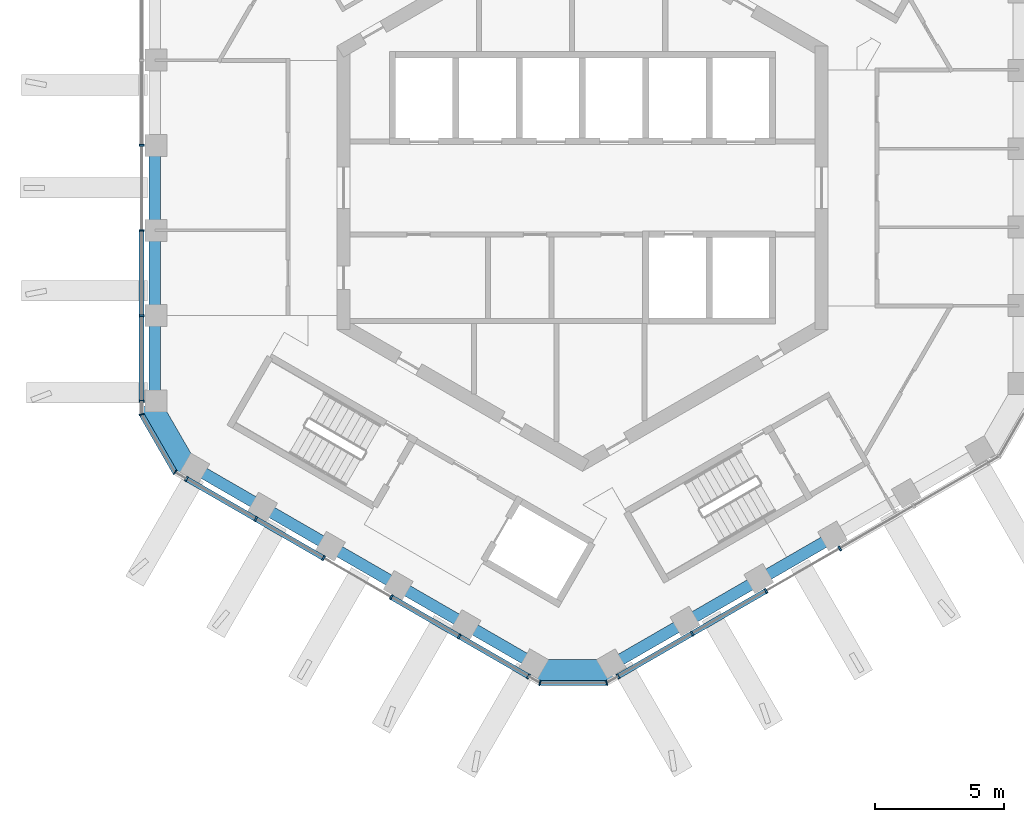
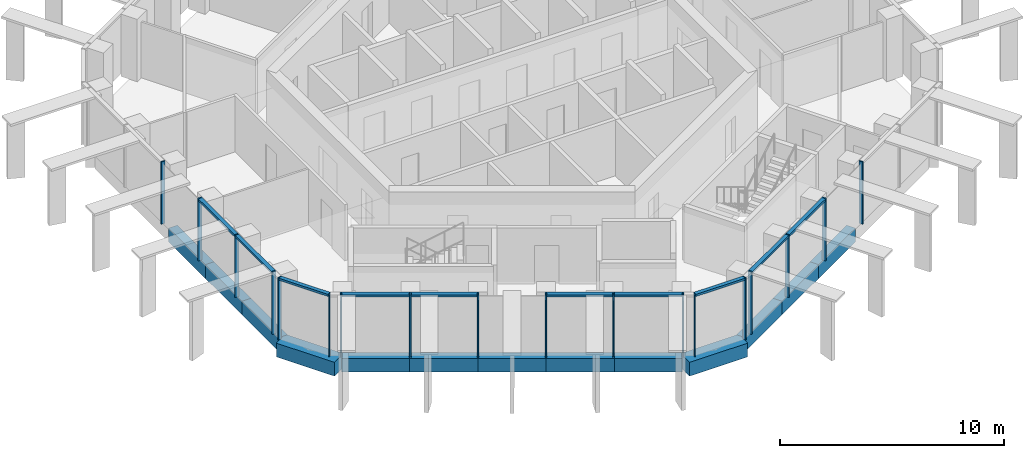
# One storey, part 2 of 18: 24 members, 13 beams, 5 elements without a shape of their own.
"""IFC4 building model written with IfcOpenShell, lengths in metres."""

from ifc_helpers import new_model, si_unit, direction, frame, origin, origin_2d, place, context, subcontext, project, spatial, rectangle, extrude, material, layer, layer_set, material_profile, profile_set, type_object, element, aggregate, save


model = new_model("IFC4")

# Units and contexts
model_context = context("Model", 3, precision=1e-05, world=origin(), true_north=direction((0.0, 1.0)))
body_context = subcontext(model_context, "Body", "Model", "MODEL_VIEW")
ifc_project = project(units=[si_unit("LENGTHUNIT", "METRE"), si_unit("AREAUNIT", "SQUARE_METRE"), si_unit("VOLUMEUNIT", "CUBIC_METRE"), si_unit("PLANEANGLEUNIT", "RADIAN"), si_unit("MASSUNIT", "GRAM", prefix="KILO")], contexts=[model_context])

# Site, building, storey
site_placement = place(None, origin())
site = spatial("IfcSite", under=ifc_project, at=site_placement, CompositionType="ELEMENT")
building_placement = place(site_placement, origin())
building = spatial("IfcBuilding", under=site, at=building_placement, Name="Ayvan Gate Tower", CompositionType="ELEMENT")
storey_placement = place(building_placement, frame((0.0, 0.0, 239.300048828125)))
storey = spatial("IfcBuildingStorey", under=building, at=storey_placement, Name="L64", CompositionType="ELEMENT", Elevation=239.300048828125)

# Beams
ifc_material_1 = material(Name="Concrete C40/50", Category="concrete")
ifc_material_profile_1 = material_profile(ifc_material_1, rectangle(XDim=0.800048828125, YDim=0.75, at=origin_2d()), Name="RC 800x750")
ifc_profile_set_1 = profile_set([ifc_material_profile_1], Name="Concrete C40/50")
beam_type_1 = type_object("IfcBeamType", Name="Corner spandrel beam RC 800x750 C40/50", PredefinedType="BEAM", material=ifc_profile_set_1)
for number, where, z_axis, x_axis, name in (
    (1, (-16.734619140625, -8.326171875, -0.72509765625), (0.499990139034, -0.866031096941, 0.0), (0.866031096941, 0.499990139034, 0.0), "SB-L64-24"),
    (2, (-1.843505859375, -18.65576171875, -0.72509765625), (1.0, 0.0, 0.0), (0.0, 1.0, 0.0), "SB-L64-30"),
):
    element("IfcBeam", number, at=place(storey_placement, frame(where, z_axis=z_axis, x_axis=x_axis)), inside=storey, type_object=beam_type_1, Name=name, PredefinedType="BEAM", context=body_context, shape_type="SweptSolid", body=[
        extrude(rectangle(XDim=0.800048828125, YDim=0.75, at=origin_2d()), origin(), (0.0, 0.0, 1.0), 3.0),
    ])
ifc_material_profile_2 = material_profile(ifc_material_1, rectangle(XDim=0.449951171875, YDim=0.75, at=origin_2d()), Name="RC 450x750")
ifc_profile_set_2 = profile_set([ifc_material_profile_2], Name="Concrete C40/50")
beam_type_2 = type_object("IfcBeamType", Name="Spandrel beam RC 450x750 C40/50", PredefinedType="BEAM", material=ifc_profile_set_2)
beam_1_placement = place(storey_placement, frame((-16.5439453125, 1.643310546875, -0.72509765625), z_axis=(0.0, -1.0, 0.0), x_axis=(1.0, 0.0, 0.0)))
element("IfcBeam", 3, at=beam_1_placement, inside=storey, type_object=beam_type_2, Name="SB-L64-21", PredefinedType="BEAM", context=body_context, shape_type="SweptSolid", body=[
    extrude(rectangle(XDim=0.449951171875, YDim=0.75, at=origin_2d()), origin(), (0.0, 0.0, 1.0), 3.28662109375),
])
beam_2_placement = place(storey_placement, frame((-16.5439453125, -1.643310546875, -0.72509765625), z_axis=(0.0, -1.0, 0.0), x_axis=(1.0, 0.0, 0.0)))
element("IfcBeam", 4, at=beam_2_placement, inside=storey, type_object=beam_type_2, Name="SB-L64-22", PredefinedType="BEAM", context=body_context, shape_type="SweptSolid", body=[
    extrude(rectangle(XDim=0.449951171875, YDim=0.75, at=origin_2d()), origin(), (0.0, 0.0, 1.0), 3.286376953125),
])
beam_3_placement = place(storey_placement, frame((-16.5439453125, -4.9296875, -0.72509765625), z_axis=(0.0, -1.0, 0.0), x_axis=(1.0, 0.0, 0.0)))
element("IfcBeam", 5, at=beam_3_placement, inside=storey, type_object=beam_type_2, Name="SB-L64-23", PredefinedType="BEAM", context=body_context, shape_type="SweptSolid", body=[
    extrude(rectangle(XDim=0.449951171875, YDim=0.75, at=origin_2d()), origin(), (0.0, 0.0, 1.0), 3.28662109375),
])
beam_4_placement = place(storey_placement, frame((-15.0439453125, -10.814208984375, -0.72509765625), z_axis=(0.865986854215, -0.500066763869, 0.0), x_axis=(0.500066763869, 0.865986854215, 0.0)))
element("IfcBeam", 6, at=beam_4_placement, inside=storey, type_object=beam_type_2, Name="SB-L64-25", PredefinedType="BEAM", context=body_context, shape_type="SweptSolid", body=[
    extrude(rectangle(XDim=0.449951171875, YDim=0.75, at=origin_2d()), origin(), (0.0, 0.0, 1.0), 3.04833984375),
])
for number, where, z_axis, x_axis, name in (
    (7, (-12.404052734375, -12.338623046875, -0.72509765625), (0.866041556688, -0.499972021306, 0.0), (0.499972021306, 0.866041556688, 0.0), "SB-L64-26"),
    (8, (-9.763916015625, -13.86279296875, -0.72509765625), (0.866006879371, -0.500032083853, 0.0), (0.500032083853, 0.866006879371, 0.0), "SB-L64-27"),
    (9, (-7.123779296875, -15.38720703125, -0.72509765625), (0.866041556688, -0.499972021306, 0.0), (0.499972021306, 0.866041556688, 0.0), "SB-L64-28"),
    (10, (-4.483642578125, -16.911376953125, -0.72509765625), (0.866006879371, -0.500032083853, 0.0), (0.500032083853, 0.866006879371, 0.0), "SB-L64-29"),
):
    element("IfcBeam", number, at=place(storey_placement, frame(where, z_axis=z_axis, x_axis=x_axis)), inside=storey, type_object=beam_type_2, Name=name, PredefinedType="BEAM", context=body_context, shape_type="SweptSolid", body=[
        extrude(rectangle(XDim=0.449951171875, YDim=0.75, at=origin_2d()), origin(), (0.0, 0.0, 1.0), 3.048583984375),
    ])
for number, where, z_axis, x_axis, name in (
    (11, (1.156494140625, -18.435791015625, -0.72509765625), (0.866017343988, 0.500013959717, 0.0), (-0.500013959717, 0.866017343988, 0.0), "SB-L64-31"),
    (12, (4.002685546875, -16.79248046875, -0.72509765625), (0.866017343988, 0.500013959717, 0.0), (-0.500013959717, 0.866017343988, 0.0), "SB-L64-32"),
    (13, (6.848876953125, -15.149169921875, -0.72509765625), (0.866017343988, 0.500013959717, 0.0), (-0.500013959717, 0.866017343988, 0.0), "SB-L64-33"),
):
    element("IfcBeam", number, at=place(storey_placement, frame(where, z_axis=z_axis, x_axis=x_axis)), inside=storey, type_object=beam_type_2, Name=name, PredefinedType="BEAM", context=body_context, shape_type="SweptSolid", body=[
        extrude(rectangle(XDim=0.449951171875, YDim=0.75, at=origin_2d()), origin(), (0.0, 0.0, 1.0), 3.28662109375),
    ])

# Curtain wall, members
ifc_material_2 = material(Name="Bronze anodised aluminium", Category="aluminium")
ifc_layer_1 = layer(ifc_material_2, 0.199951171875)
ifc_layer_set_1 = layer_set([ifc_layer_1], Name="Bronze anodised aluminium")
curtain_wall_type_1 = type_object("IfcCurtainWallType", Name="Stick curtain wall CW-2", PredefinedType="NOTDEFINED", material=ifc_layer_set_1)
curtain_wall_1_placement = place(storey_placement, origin())
curtain_wall_1 = element("IfcCurtainWall", 14, at=curtain_wall_1_placement, inside=storey, type_object=curtain_wall_type_1, Name="Stick curtain wall CW-2 L64", PredefinedType="NOTDEFINED")
ifc_material_profile_3 = material_profile(ifc_material_2, rectangle(XDim=0.199951171875, YDim=0.070068359375, at=origin_2d()), Name="Stick curtain wall CW-2 mullion 200 x 70")
ifc_profile_set_3 = profile_set([ifc_material_profile_3], Name="Bronze anodised aluminium")
member_type_1 = type_object("IfcMemberType", Name="Stick curtain wall CW-2 mullion 200 x 70", PredefinedType="MULLION", material=ifc_profile_set_3)
member_1_placement = place(storey_placement, frame((-17.056396484375, 1.647705078125, 0.0), z_axis=(0.0, 0.0, 1.0), x_axis=(-1.0, 0.0, 0.0)))
member_1 = element("IfcMember", 15, at=member_1_placement, type_object=member_type_1, Name="CW-2 mullion 3", PredefinedType="MULLION", context=body_context, shape_type="SweptSolid", body=[
    extrude(rectangle(XDim=0.199951171875, YDim=0.070068359375, at=origin_2d()), origin(), (0.0, 0.0, 1.0), 3.39990234375),
])
member_2_placement = place(storey_placement, frame((-17.056396484375, -1.6484375, 0.0), z_axis=(0.0, 0.0, 1.0), x_axis=(-1.0, 0.0, 0.0)))
member_2 = element("IfcMember", 16, at=member_2_placement, type_object=member_type_1, Name="CW-2 mullion 4", PredefinedType="MULLION", context=body_context, shape_type="SweptSolid", body=[
    extrude(rectangle(XDim=0.199951171875, YDim=0.070068359375, at=origin_2d()), origin(), (0.0, 0.0, 1.0), 3.39990234375),
])
member_3_placement = place(storey_placement, frame((-17.056396484375, -4.9443359375, 0.0), z_axis=(0.0, 0.0, 1.0), x_axis=(-1.0, 0.0, 0.0)))
member_3 = element("IfcMember", 17, at=member_3_placement, type_object=member_type_1, Name="CW-2 mullion 5", PredefinedType="MULLION", context=body_context, shape_type="SweptSolid", body=[
    extrude(rectangle(XDim=0.199951171875, YDim=0.070068359375, at=origin_2d()), origin(), (0.0, 0.0, 1.0), 3.39990234375),
])
member_4_placement = place(storey_placement, frame((-17.056396484375, -8.257568359375, 0.0), z_axis=(0.0, 0.0, 1.0), x_axis=(-1.0, 0.0, 0.0)))
member_4 = element("IfcMember", 18, at=member_4_placement, type_object=member_type_1, Name="CW-2 mullion 6", PredefinedType="MULLION", context=body_context, shape_type="SweptSolid", body=[
    extrude(rectangle(XDim=0.199951171875, YDim=0.070068359375, at=origin_2d()), origin(), (0.0, 0.0, 1.0), 3.39990234375),
])

curtain_wall_2_placement = place(storey_placement, origin())
curtain_wall_2 = element("IfcCurtainWall", 19, at=curtain_wall_2_placement, inside=storey, type_object=curtain_wall_type_1, Name="Stick curtain wall CW-2 L64", PredefinedType="NOTDEFINED")
member_5_placement = place(storey_placement, frame((-15.323486328125, -11.25927734375, 0.0), z_axis=(0.0, 0.0, 1.0), x_axis=(-0.5, -0.866025403784, 0.0)))
member_5 = element("IfcMember", 20, at=member_5_placement, type_object=member_type_1, Name="CW-2 mullion 1", PredefinedType="MULLION", context=body_context, shape_type="SweptSolid", body=[
    extrude(rectangle(XDim=0.199951171875, YDim=0.070068359375, at=origin_2d()), origin(), (0.0, 0.0, 1.0), 3.39990234375),
])
member_6_placement = place(storey_placement, frame((-12.641357421875, -12.8076171875, 0.0), z_axis=(0.0, 0.0, 1.0), x_axis=(-0.5, -0.866025403784, 0.0)))
member_6 = element("IfcMember", 21, at=member_6_placement, type_object=member_type_1, Name="CW-2 mullion 2", PredefinedType="MULLION", context=body_context, shape_type="SweptSolid", body=[
    extrude(rectangle(XDim=0.199951171875, YDim=0.070068359375, at=origin_2d()), origin(), (0.0, 0.0, 1.0), 3.39990234375),
])
member_7_placement = place(storey_placement, frame((-10.01806640625, -14.322265625, 0.0), z_axis=(0.0, 0.0, 1.0), x_axis=(-0.5, -0.866025403784, 0.0)))
member_7 = element("IfcMember", 22, at=member_7_placement, type_object=member_type_1, Name="CW-2 mullion 3", PredefinedType="MULLION", context=body_context, shape_type="SweptSolid", body=[
    extrude(rectangle(XDim=0.199951171875, YDim=0.070068359375, at=origin_2d()), origin(), (0.0, 0.0, 1.0), 3.39990234375),
])
member_8_placement = place(storey_placement, frame((-7.39501953125, -15.836669921875, 0.0), z_axis=(0.0, 0.0, 1.0), x_axis=(-0.5, -0.866025403784, 0.0)))
member_8 = element("IfcMember", 23, at=member_8_placement, type_object=member_type_1, Name="CW-2 mullion 4", PredefinedType="MULLION", context=body_context, shape_type="SweptSolid", body=[
    extrude(rectangle(XDim=0.199951171875, YDim=0.070068359375, at=origin_2d()), origin(), (0.0, 0.0, 1.0), 3.39990234375),
])
member_9_placement = place(storey_placement, frame((-4.771728515625, -17.351318359375, 0.0), z_axis=(0.0, 0.0, 1.0), x_axis=(-0.5, -0.866025403784, 0.0)))
member_9 = element("IfcMember", 24, at=member_9_placement, type_object=member_type_1, Name="CW-2 mullion 5", PredefinedType="MULLION", context=body_context, shape_type="SweptSolid", body=[
    extrude(rectangle(XDim=0.199951171875, YDim=0.070068359375, at=origin_2d()), origin(), (0.0, 0.0, 1.0), 3.39990234375),
])
member_10_placement = place(storey_placement, frame((-2.089111328125, -18.900146484375, 0.0), z_axis=(0.0, 0.0, 1.0), x_axis=(-0.5, -0.866025403784, 0.0)))
member_10 = element("IfcMember", 25, at=member_10_placement, type_object=member_type_1, Name="CW-2 mullion 6", PredefinedType="MULLION", context=body_context, shape_type="SweptSolid", body=[
    extrude(rectangle(XDim=0.199951171875, YDim=0.070068359375, at=origin_2d()), origin(), (0.0, 0.0, 1.0), 3.39990234375),
])

curtain_wall_3_placement = place(storey_placement, origin())
curtain_wall_3 = element("IfcCurtainWall", 26, at=curtain_wall_3_placement, inside=storey, type_object=curtain_wall_type_1, Name="Stick curtain wall CW-2 L64", PredefinedType="NOTDEFINED")
member_11_placement = place(storey_placement, frame((1.376953125, -18.900146484375, 0.0), z_axis=(0.0, 0.0, 1.0), x_axis=(0.5, -0.866025403784, 0.0)))
member_11 = element("IfcMember", 27, at=member_11_placement, type_object=member_type_1, Name="CW-2 mullion 1", PredefinedType="MULLION", context=body_context, shape_type="SweptSolid", body=[
    extrude(rectangle(XDim=0.199951171875, YDim=0.070068359375, at=origin_2d()), origin(), (0.0, 0.0, 1.0), 3.39990234375),
])
member_12_placement = place(storey_placement, frame((4.24609375, -17.24365234375, 0.0), z_axis=(0.0, 0.0, 1.0), x_axis=(0.5, -0.866025403784, 0.0)))
member_12 = element("IfcMember", 28, at=member_12_placement, type_object=member_type_1, Name="CW-2 mullion 2", PredefinedType="MULLION", context=body_context, shape_type="SweptSolid", body=[
    extrude(rectangle(XDim=0.199951171875, YDim=0.070068359375, at=origin_2d()), origin(), (0.0, 0.0, 1.0), 3.39990234375),
])
member_13_placement = place(storey_placement, frame((7.101318359375, -15.59521484375, 0.0), z_axis=(0.0, 0.0, 1.0), x_axis=(0.5, -0.866025403784, 0.0)))
member_13 = element("IfcMember", 29, at=member_13_placement, type_object=member_type_1, Name="CW-2 mullion 3", PredefinedType="MULLION", context=body_context, shape_type="SweptSolid", body=[
    extrude(rectangle(XDim=0.199951171875, YDim=0.070068359375, at=origin_2d()), origin(), (0.0, 0.0, 1.0), 3.39990234375),
])
member_14_placement = place(storey_placement, frame((9.955810546875, -13.947021484375, 0.0), z_axis=(0.0, 0.0, 1.0), x_axis=(0.5, -0.866025403784, 0.0)))
member_14 = element("IfcMember", 30, at=member_14_placement, type_object=member_type_1, Name="CW-2 mullion 4", PredefinedType="MULLION", context=body_context, shape_type="SweptSolid", body=[
    extrude(rectangle(XDim=0.199951171875, YDim=0.070068359375, at=origin_2d()), origin(), (0.0, 0.0, 1.0), 3.39990234375),
])

# Member
ifc_material_profile_4 = material_profile(ifc_material_2, rectangle(XDim=0.199951171875, YDim=0.1201171875, at=origin_2d()), Name="Stick curtain wall CW-2 transom 200 x 120")
ifc_profile_set_4 = profile_set([ifc_material_profile_4], Name="Bronze anodised aluminium")
member_type_2 = type_object("IfcMemberType", Name="Stick curtain wall CW-2 transom 200 x 120", PredefinedType="USERDEFINED", material=ifc_profile_set_4)
member_15_placement = place(storey_placement, frame((-17.056396484375, -1.683349609375, 3.33984375), z_axis=(0.0, -1.0, 0.0), x_axis=(1.0, 0.0, 0.0)))
member_15 = element("IfcMember", 31, at=member_15_placement, type_object=member_type_2, Name="CW-2 transom 2", ObjectType="TRANSOM", PredefinedType="USERDEFINED", context=body_context, shape_type="SweptSolid", body=[
    extrude(rectangle(XDim=0.199951171875, YDim=0.1201171875, at=origin_2d()), origin(), (0.0, 0.0, 1.0), 6.57421875),
])

aggregate(curtain_wall_1, [member_1, member_2, member_3, member_4, member_15])

member_16_placement = place(storey_placement, frame((-15.323486328125, -11.25927734375, 3.33984375), z_axis=(0.866029394266, -0.49999308822, 0.0), x_axis=(0.49999308822, 0.866029394266, 0.0)))
member_16 = element("IfcMember", 32, at=member_16_placement, type_object=member_type_2, Name="CW-2 transom 1", ObjectType="TRANSOM", PredefinedType="USERDEFINED", context=body_context, shape_type="SweptSolid", body=[
    extrude(rectangle(XDim=0.199951171875, YDim=0.1201171875, at=origin_2d()), origin(), (0.0, 0.0, 1.0), 6.0908203125),
])

member_17_placement = place(storey_placement, frame((-7.36474609375, -15.854248046875, 3.33984375), z_axis=(0.866024743763, -0.50000114319, 0.0), x_axis=(0.50000114319, 0.866024743763, 0.0)))
member_17 = element("IfcMember", 33, at=member_17_placement, type_object=member_type_2, Name="CW-2 transom 2", ObjectType="TRANSOM", PredefinedType="USERDEFINED", context=body_context, shape_type="SweptSolid", body=[
    extrude(rectangle(XDim=0.199951171875, YDim=0.1201171875, at=origin_2d()), origin(), (0.0, 0.0, 1.0), 6.091796875),
])

aggregate(curtain_wall_2, [member_5, member_6, member_7, member_8, member_9, member_10, member_16, member_17])

member_18_placement = place(storey_placement, frame((1.376953125, -18.900146484375, 3.33984375), z_axis=(0.866018012899, 0.50001280117, 0.0), x_axis=(-0.50001280117, 0.866018012899, 0.0)))
member_18 = element("IfcMember", 34, at=member_18_placement, type_object=member_type_2, Name="CW-2 transom 1", ObjectType="TRANSOM", PredefinedType="USERDEFINED", context=body_context, shape_type="SweptSolid", body=[
    extrude(rectangle(XDim=0.199951171875, YDim=0.1201171875, at=origin_2d()), origin(), (0.0, 0.0, 1.0), 6.574951171875),
])

aggregate(curtain_wall_3, [member_11, member_12, member_13, member_14, member_18])

# Curtain wall, members
ifc_layer_2 = layer(ifc_material_2, 0.199951171875)
ifc_layer_set_2 = layer_set([ifc_layer_2], Name="Bronze anodised aluminium")
curtain_wall_type_2 = type_object("IfcCurtainWallType", Name="Stick curtain wall CW-6", PredefinedType="NOTDEFINED", material=ifc_layer_set_2)
curtain_wall_4_placement = place(storey_placement, origin())
curtain_wall_4 = element("IfcCurtainWall", 35, at=curtain_wall_4_placement, inside=storey, type_object=curtain_wall_type_2, Name="Stick curtain wall CW-6 L64", PredefinedType="NOTDEFINED")
ifc_material_profile_5 = material_profile(ifc_material_2, rectangle(XDim=0.199951171875, YDim=0.050048828125, at=origin_2d()), Name="Stick curtain wall CW-6 mullion 200 x 50")
ifc_profile_set_5 = profile_set([ifc_material_profile_5], Name="Bronze anodised aluminium")
member_type_3 = type_object("IfcMemberType", Name="Stick curtain wall CW-6 mullion 200 x 50", PredefinedType="MULLION", material=ifc_profile_set_5)
member_19_placement = place(storey_placement, frame((-17.056396484375, -8.767578125, 0.0), z_axis=(0.0, 0.0, 1.0), x_axis=(-0.965925826289, -0.258819045103, 0.0)))
member_19 = element("IfcMember", 36, at=member_19_placement, type_object=member_type_3, Name="CW-6 mullion 2", PredefinedType="MULLION", context=body_context, shape_type="SweptSolid", body=[
    extrude(rectangle(XDim=0.199951171875, YDim=0.050048828125, at=origin_2d()), origin(), (0.0, 0.0, 1.0), 3.39990234375),
])
member_20_placement = place(storey_placement, frame((-15.76513671875, -11.004150390625, 0.0), z_axis=(0.0, 0.0, 1.0), x_axis=(-0.707106781187, -0.707106781187, 0.0)))
member_20 = element("IfcMember", 37, at=member_20_placement, type_object=member_type_3, Name="CW-6 mullion 3", PredefinedType="MULLION", context=body_context, shape_type="SweptSolid", body=[
    extrude(rectangle(XDim=0.199951171875, YDim=0.050048828125, at=origin_2d()), origin(), (0.0, 0.0, 1.0), 3.39990234375),
])

curtain_wall_5_placement = place(storey_placement, origin())
curtain_wall_5 = element("IfcCurtainWall", 38, at=curtain_wall_5_placement, inside=storey, type_object=curtain_wall_type_2, Name="Stick curtain wall CW-6 L64", PredefinedType="NOTDEFINED")
member_21_placement = place(storey_placement, frame((-1.6474609375, -19.155029296875, 0.0), z_axis=(0.0, 0.0, 1.0), x_axis=(-0.258819045103, -0.965925826289, 0.0)))
member_21 = element("IfcMember", 39, at=member_21_placement, type_object=member_type_3, Name="CW-6 mullion 2", PredefinedType="MULLION", context=body_context, shape_type="SweptSolid", body=[
    extrude(rectangle(XDim=0.199951171875, YDim=0.050048828125, at=origin_2d()), origin(), (0.0, 0.0, 1.0), 3.39990234375),
])
member_22_placement = place(storey_placement, frame((0.935302734375, -19.155029296875, 0.0), z_axis=(0.0, 0.0, 1.0), x_axis=(0.258819045103, -0.965925826289, 0.0)))
member_22 = element("IfcMember", 40, at=member_22_placement, type_object=member_type_3, Name="CW-6 mullion 3", PredefinedType="MULLION", context=body_context, shape_type="SweptSolid", body=[
    extrude(rectangle(XDim=0.199951171875, YDim=0.050048828125, at=origin_2d()), origin(), (0.0, 0.0, 1.0), 3.39990234375),
])

# Member
ifc_material_profile_6 = material_profile(ifc_material_2, rectangle(XDim=0.199951171875, YDim=0.1201171875, at=origin_2d()), Name="Stick curtain wall CW-6 transom 200 x 120")
ifc_profile_set_6 = profile_set([ifc_material_profile_6], Name="Bronze anodised aluminium")
member_type_4 = type_object("IfcMemberType", Name="Stick curtain wall CW-6 transom 200 x 120", PredefinedType="USERDEFINED", material=ifc_profile_set_6)
member_23_placement = place(storey_placement, frame((-17.0439453125, -8.789306640625, 3.33984375), z_axis=(0.500006158363, -0.866021848223, 0.0), x_axis=(0.866021848223, 0.500006158363, 0.0)))
member_23 = element("IfcMember", 41, at=member_23_placement, type_object=member_type_4, Name="CW-6 transom 2", ObjectType="TRANSOM", PredefinedType="USERDEFINED", context=body_context, shape_type="SweptSolid", body=[
    extrude(rectangle(XDim=0.199951171875, YDim=0.1201171875, at=origin_2d()), origin(), (0.0, 0.0, 1.0), 2.53271484375),
])

aggregate(curtain_wall_4, [member_19, member_20, member_23])

member_24_placement = place(storey_placement, frame((-1.622314453125, -19.155029296875, 3.33984375), z_axis=(1.0, 0.0, 0.0), x_axis=(0.0, 1.0, 0.0)))
member_24 = element("IfcMember", 42, at=member_24_placement, type_object=member_type_4, Name="CW-6 transom 2", ObjectType="TRANSOM", PredefinedType="USERDEFINED", context=body_context, shape_type="SweptSolid", body=[
    extrude(rectangle(XDim=0.199951171875, YDim=0.1201171875, at=origin_2d()), origin(), (0.0, 0.0, 1.0), 2.532470703125),
])

aggregate(curtain_wall_5, [member_21, member_22, member_24])

save(model, "model.ifc")
